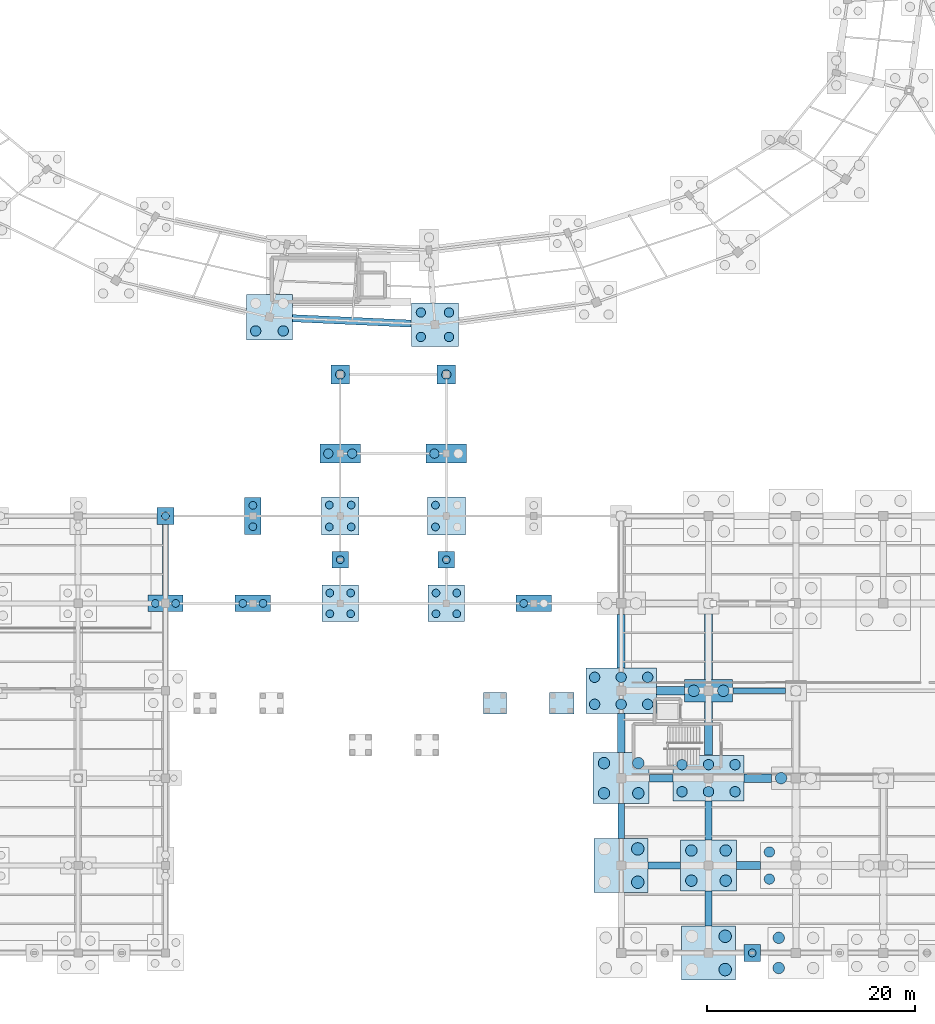
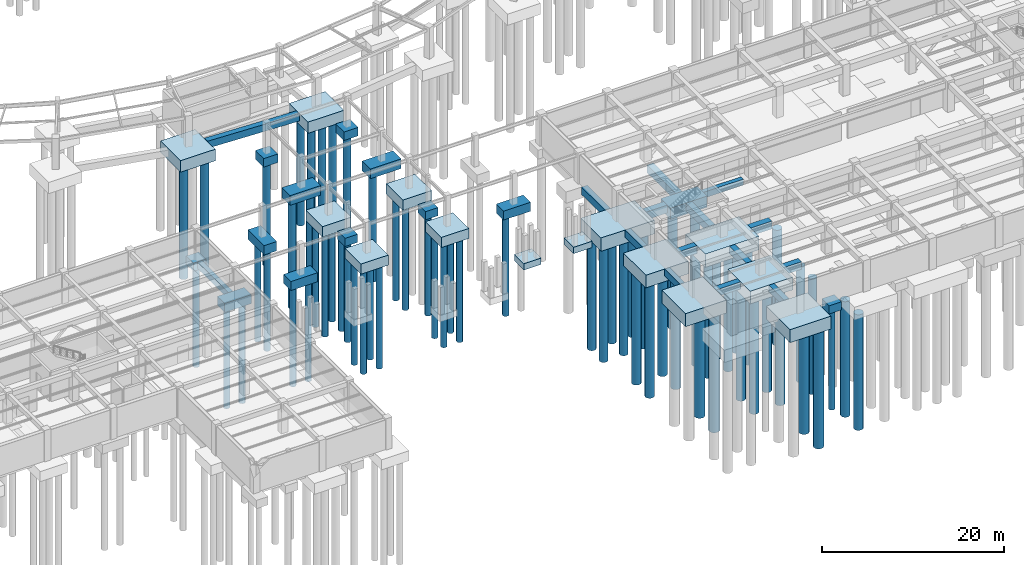
# One storey, part 3 of 38: 67 piles, 42 footings.
"""IFC4 building model written with IfcOpenShell, lengths in metres."""

from ifc_helpers import new_model, si_unit, direction, frame, origin, origin_2d, place, context, subcontext, project, spatial, polyline, rectangle, circle, outline, extrude, material, material_profile, profile_set, type_object, element, save


model = new_model("IFC4")

# Units and contexts
model_context = context("Model", 3, precision=1e-05, world=origin(), true_north=direction((0.0, 1.0)))
body_context = subcontext(model_context, "Body", "Model", "MODEL_VIEW")
ifc_project = project(units=[si_unit("LENGTHUNIT", "METRE"), si_unit("AREAUNIT", "SQUARE_METRE"), si_unit("VOLUMEUNIT", "CUBIC_METRE"), si_unit("PLANEANGLEUNIT", "RADIAN"), si_unit("MASSUNIT", "GRAM", prefix="KILO"), si_unit("THERMODYNAMICTEMPERATUREUNIT", "KELVIN"), si_unit("POWERUNIT", "WATT")], contexts=[model_context])

# Site, building, storey
site_placement = place(None, origin())
site = spatial("IfcSite", under=ifc_project, at=site_placement, CompositionType="ELEMENT")
building_placement = place(site_placement, origin())
building = spatial("IfcBuilding", under=site, at=building_placement, Name="Darbajah Civic Hall", CompositionType="ELEMENT")
storey_placement = place(building_placement, frame((0.0, 0.0, -4.199951171875)))
storey = spatial("IfcBuildingStorey", under=building, at=storey_placement, Name="B01", CompositionType="ELEMENT", Elevation=-4.199951171875)

# Piles
ifc_material = material(Name="Concrete C45/55", Category="concrete")
ifc_material_profile_1 = material_profile(ifc_material, circle(Radius=0.5, at=origin_2d()), Name="BORED PILE D1000")
ifc_profile_set_1 = profile_set([ifc_material_profile_1], Name="Concrete C45/55")
pile_type_1 = type_object("IfcPileType", Name="BORED PILE D1000", PredefinedType="BORED", material=ifc_profile_set_1)
for number, where, z_axis, x_axis, name in (
    (1, (75.869384765625, 59.7900390625, -1.449951171875), (0.0, 0.0, -1.0), (1.0, 0.0, 0.0), "B01 bored pile P-1000 V1O-14-1"),
    (2, (78.519287109375, 59.7900390625, -1.449951171875), (0.0, 0.0, -1.0), (1.0, 0.0, 0.0), "B01 bored pile P-1000 V1O-14-2"),
):
    element("IfcPile", number, at=place(storey_placement, frame(where, z_axis=z_axis, x_axis=x_axis)), inside=storey, type_object=pile_type_1, Name=name, PredefinedType="BORED", context=body_context, shape_type="SweptSolid", body=[
        extrude(circle(Radius=0.5, at=origin_2d()), origin(), (0.0, 0.0, 1.0), 15.0),
    ])
for number, where, z_axis, x_axis, name in (
    (3, (108.449951171875, 23.89990234375, -1.699951171875), (0.0, 0.0, -1.0), (1.0, 0.0, 0.0), "B01 bored pile P-1000 V3-00-03-1"),
    (4, (111.0, 23.89990234375, -1.699951171875), (0.0, 0.0, -1.0), (1.0, 0.0, 0.0), "B01 bored pile P-1000 V3-00-03-2"),
    (5, (113.550048828125, 23.89990234375, -1.699951171875), (0.0, 0.0, -1.0), (1.0, 0.0, 0.0), "B01 bored pile P-1000 V3-00-03-3"),
    (6, (108.449951171875, 26.5, -1.699951171875), (0.0, 0.0, -1.0), (1.0, 0.0, 0.0), "B01 bored pile P-1000 V3-00-03-4"),
    (7, (111.0, 26.5, -1.699951171875), (0.0, 0.0, -1.0), (1.0, 0.0, 0.0), "B01 bored pile P-1000 V3-00-03-5"),
    (8, (113.550048828125, 26.5, -1.699951171875), (0.0, 0.0, -1.0), (1.0, 0.0, 0.0), "B01 bored pile P-1000 V3-00-03-6"),
    (9, (116.85009765625, 15.5, -1.699951171875), (0.0, 0.0, -1.0), (1.0, 0.0, 0.0), "B01 bored pile P-1000 V3-01-02-1"),
    (10, (119.39990234375, 15.5, -1.699951171875), (0.0, 0.0, -1.0), (1.0, 0.0, 0.0), "B01 bored pile P-1000 V3-01-02-2"),
    (11, (121.949951171875, 15.5, -1.699951171875), (0.0, 0.0, -1.0), (1.0, 0.0, 0.0), "B01 bored pile P-1000 V3-01-02-3"),
    (12, (116.85009765625, 18.10009765625, -1.699951171875), (0.0, 0.0, -1.0), (1.0, 0.0, 0.0), "B01 bored pile P-1000 V3-01-02-4"),
    (13, (119.39990234375, 18.10009765625, -1.699951171875), (0.0, 0.0, -1.0), (1.0, 0.0, 0.0), "B01 bored pile P-1000 V3-01-02-5"),
    (14, (121.949951171875, 18.10009765625, -1.699951171875), (0.0, 0.0, -1.0), (1.0, 0.0, 0.0), "B01 bored pile P-1000 V3-01-02-6"),
    (15, (125.25, 7.10009765625, -1.699951171875), (0.0, 0.0, -1.0), (1.0, 0.0, 0.0), "B01 bored pile P-1000 V3-02-01-1"),
    (16, (125.25, 9.699951171875, -1.699951171875), (0.0, 0.0, -1.0), (1.0, 0.0, 0.0), "B01 bored pile P-1000 V3-02-01-4"),
):
    element("IfcPile", number, at=place(storey_placement, frame(where, z_axis=z_axis, x_axis=x_axis)), inside=storey, type_object=pile_type_1, Name=name, PredefinedType="BORED", context=body_context, shape_type="SweptSolid", body=[
        extrude(circle(Radius=0.5, at=origin_2d()), origin(), (0.0, 0.0, 1.0), 15.5),
    ])
ifc_material_profile_2 = material_profile(ifc_material, circle(Radius=0.550048828125, at=origin_2d()), Name="BORED PILE D1100")
ifc_profile_set_2 = profile_set([ifc_material_profile_2], Name="Concrete C45/55")
pile_type_2 = type_object("IfcPileType", Name="BORED PILE D1100", PredefinedType="BORED", material=ifc_profile_set_2)
for number, where, z_axis, x_axis, name in (
    (17, (109.35009765625, 15.35009765625, -1.60009765625), (0.0, 0.0, -1.0), (1.0, 0.0, 0.0), "B01 bored pile P-1100 V3-00-02-1"),
    (18, (112.64990234375, 15.35009765625, -1.60009765625), (0.0, 0.0, -1.0), (1.0, 0.0, 0.0), "B01 bored pile P-1100 V3-00-02-2"),
    (19, (109.35009765625, 18.25, -1.60009765625), (0.0, 0.0, -1.0), (1.0, 0.0, 0.0), "B01 bored pile P-1100 V3-00-02-3"),
    (20, (112.64990234375, 18.25, -1.60009765625), (0.0, 0.0, -1.0), (1.0, 0.0, 0.0), "B01 bored pile P-1100 V3-00-02-4"),
    (21, (117.75, 6.949951171875, -1.60009765625), (0.0, 0.0, -1.0), (1.0, 0.0, 0.0), "B01 bored pile P-1100 V3-01-01-1"),
    (22, (121.050048828125, 6.949951171875, -1.60009765625), (0.0, 0.0, -1.0), (1.0, 0.0, 0.0), "B01 bored pile P-1100 V3-01-01-2"),
    (23, (117.75, 9.85009765625, -1.60009765625), (0.0, 0.0, -1.0), (1.0, 0.0, 0.0), "B01 bored pile P-1100 V3-01-01-3"),
    (24, (121.050048828125, 9.85009765625, -1.60009765625), (0.0, 0.0, -1.0), (1.0, 0.0, 0.0), "B01 bored pile P-1100 V3-01-01-4"),
    (25, (117.97509765625, 25.199951171875, -1.400146484375), (0.0, 0.0, -1.0), (1.0, 0.0, 0.0), "B01 bored pile P-1100 V3-01-03-1"),
    (26, (120.824951171875, 25.199951171875, -1.400146484375), (0.0, 0.0, -1.0), (1.0, 0.0, 0.0), "B01 bored pile P-1100 V3-01-03-2"),
    (27, (126.14990234375, -1.449951171875, -1.60009765625), (0.0, 0.0, -1.0), (1.0, 0.0, 0.0), "B01 bored pile P-1100 V3-02-00-1"),
    (28, (126.14990234375, 1.449951171875, -1.60009765625), (0.0, 0.0, -1.0), (1.0, 0.0, 0.0), "B01 bored pile P-1100 V3-02-00-3"),
    (29, (126.375, 16.800048828125, -1.400146484375), (0.0, 0.0, -1.0), (1.0, 0.0, 0.0), "B01 bored pile P-1100 V3-02-02-1"),
):
    element("IfcPile", number, at=place(storey_placement, frame(where, z_axis=z_axis, x_axis=x_axis)), inside=storey, type_object=pile_type_2, Name=name, PredefinedType="BORED", context=body_context, shape_type="SweptSolid", body=[
        extrude(circle(Radius=0.550048828125, at=origin_2d()), origin(), (0.0, 0.0, 1.0), 15.5),
    ])
ifc_material_profile_3 = material_profile(ifc_material, circle(Radius=0.60009765625, at=origin_2d()), Name="BORED PILE D1200")
ifc_profile_set_3 = profile_set([ifc_material_profile_3], Name="Concrete C45/55")
pile_type_3 = type_object("IfcPileType", Name="BORED PILE D1200", PredefinedType="BORED", material=ifc_profile_set_3)
for number, where, z_axis, x_axis, name in (
    (30, (112.60009765625, 6.800048828125, -1.650146484375), (0.0, 0.0, -1.0), (1.0, 0.0, 0.0), "B01 bored pile P-1200 V3-00-01-2"),
    (31, (112.60009765625, 10.0, -1.650146484375), (0.0, 0.0, -1.0), (1.0, 0.0, 0.0), "B01 bored pile P-1200 V3-00-01-4"),
    (32, (121.0, -1.60009765625, -1.650146484375), (0.0, 0.0, -1.0), (1.0, 0.0, 0.0), "B01 bored pile P-1200 V3-01-00-2"),
    (33, (121.0, 1.60009765625, -1.650146484375), (0.0, 0.0, -1.0), (1.0, 0.0, 0.0), "B01 bored pile P-1200 V3-01-00-4"),
):
    element("IfcPile", number, at=place(storey_placement, frame(where, z_axis=z_axis, x_axis=x_axis)), inside=storey, type_object=pile_type_3, Name=name, PredefinedType="BORED", context=body_context, shape_type="SweptSolid", body=[
        extrude(circle(Radius=0.60009765625, at=origin_2d()), origin(), (0.0, 0.0, 1.0), 16.0),
    ])
ifc_material_profile_4 = material_profile(ifc_material, circle(Radius=0.375, at=origin_2d()), Name="BORED PILE D750")
ifc_profile_set_4 = profile_set([ifc_material_profile_4], Name="Concrete C45/55")
pile_type_4 = type_object("IfcPileType", Name="BORED PILE D750", PredefinedType="BORED", material=ifc_profile_set_4)
for number, where, z_axis, x_axis, name in (
    (34, (66.22509765625, 33.60009765625, -1.10009765625), (0.0, 0.0, -1.0), (1.0, 0.0, 0.0), "B01 bored pile P-750 V5-08-04-1"),
    (35, (68.175048828125, 33.60009765625, -1.10009765625), (0.0, 0.0, -1.0), (1.0, 0.0, 0.0), "B01 bored pile P-750 V5-08-04-2"),
    (36, (67.199951171875, 42.0, -1.0), (0.0, 0.0, -1.0), (1.0, 0.0, 0.0), "B01 bored pile P-750 V5-08-05-1"),
    (37, (74.625, 33.60009765625, -1.10009765625), (0.0, 0.0, -1.0), (1.0, 0.0, 0.0), "B01 bored pile P-750 V6S-01-1"),
    (38, (76.574951171875, 33.60009765625, -1.10009765625), (0.0, 0.0, -1.0), (1.0, 0.0, 0.0), "B01 bored pile P-750 V6S-01-2"),
    (39, (75.60009765625, 40.97509765625, -1.150146484375), (0.0, 0.0, -1.0), (1.0, 0.0, 0.0), "B01 bored pile P-750 V6S-02-1"),
    (40, (75.60009765625, 43.02490234375, -1.150146484375), (0.0, 0.0, -1.0), (1.0, 0.0, 0.0), "B01 bored pile P-750 V6S-02-2"),
):
    element("IfcPile", number, at=place(storey_placement, frame(where, z_axis=z_axis, x_axis=x_axis)), inside=storey, type_object=pile_type_4, Name=name, PredefinedType="BORED", context=body_context, shape_type="SweptSolid", body=[
        extrude(circle(Radius=0.375, at=origin_2d()), origin(), (0.0, 0.0, 1.0), 13.5),
    ])
for number, where, z_axis, x_axis, name in (
    (41, (83.0, 32.60009765625, -1.25), (0.0, 0.0, -1.0), (1.0, 0.0, 0.0), "B01 bored pile P-750 V6S-03-1"),
    (42, (85.0, 32.60009765625, -1.25), (0.0, 0.0, -1.0), (1.0, 0.0, 0.0), "B01 bored pile P-750 V6S-03-2"),
    (43, (83.0, 34.60009765625, -1.25), (0.0, 0.0, -1.0), (1.0, 0.0, 0.0), "B01 bored pile P-750 V6S-03-3"),
    (44, (85.0, 34.60009765625, -1.25), (0.0, 0.0, -1.0), (1.0, 0.0, 0.0), "B01 bored pile P-750 V6S-03-4"),
    (45, (82.949951171875, 40.949951171875, -1.300048828125), (0.0, 0.0, -1.0), (1.0, 0.0, 0.0), "B01 bored pile P-750 V6S-04-1"),
    (46, (85.050048828125, 40.949951171875, -1.300048828125), (0.0, 0.0, -1.0), (1.0, 0.0, 0.0), "B01 bored pile P-750 V6S-04-2"),
    (47, (82.949951171875, 43.050048828125, -1.300048828125), (0.0, 0.0, -1.0), (1.0, 0.0, 0.0), "B01 bored pile P-750 V6S-04-3"),
    (48, (85.050048828125, 43.050048828125, -1.300048828125), (0.0, 0.0, -1.0), (1.0, 0.0, 0.0), "B01 bored pile P-750 V6S-04-4"),
    (49, (93.199951171875, 32.60009765625, -1.25), (0.0, 0.0, -1.0), (1.0, 0.0, 0.0), "B01 bored pile P-750 V6S-07-1"),
    (50, (95.199951171875, 32.60009765625, -1.25), (0.0, 0.0, -1.0), (1.0, 0.0, 0.0), "B01 bored pile P-750 V6S-07-2"),
    (51, (93.199951171875, 34.60009765625, -1.25), (0.0, 0.0, -1.0), (1.0, 0.0, 0.0), "B01 bored pile P-750 V6S-07-3"),
    (52, (95.199951171875, 34.60009765625, -1.25), (0.0, 0.0, -1.0), (1.0, 0.0, 0.0), "B01 bored pile P-750 V6S-07-4"),
    (53, (93.14990234375, 40.949951171875, -1.300048828125), (0.0, 0.0, -1.0), (1.0, 0.0, 0.0), "B01 bored pile P-750 V6S-08-1"),
    (54, (93.14990234375, 43.050048828125, -1.300048828125), (0.0, 0.0, -1.0), (1.0, 0.0, 0.0), "B01 bored pile P-750 V6S-08-3"),
):
    element("IfcPile", number, at=place(storey_placement, frame(where, z_axis=z_axis, x_axis=x_axis)), inside=storey, type_object=pile_type_4, Name=name, PredefinedType="BORED", context=body_context, shape_type="SweptSolid", body=[
        extrude(circle(Radius=0.375, at=origin_2d()), origin(), (0.0, 0.0, 1.0), 14.0),
    ])
for number, where, z_axis, x_axis, name in (
    (55, (101.625, 33.60009765625, -1.10009765625), (0.0, 0.0, -1.0), (1.0, 0.0, 0.0), "B01 bored pile P-750 V6S-11-1"),
    (56, (123.60009765625, 0.0, -1.0), (0.0, 0.0, -1.0), (1.0, 0.0, 0.0), "B01 bored pile PIL-V3S-2"),
    (57, (84.0, 37.800048828125, -1.0), (0.0, 0.0, -1.0), (1.0, 0.0, 0.0), "B01 bored pile PIL-V6P-1"),
    (58, (94.199951171875, 37.800048828125, -1.0), (0.0, 0.0, -1.0), (1.0, 0.0, 0.0), "B01 bored pile PIL-V6P-2"),
):
    element("IfcPile", number, at=place(storey_placement, frame(where, z_axis=z_axis, x_axis=x_axis)), inside=storey, type_object=pile_type_4, Name=name, PredefinedType="BORED", context=body_context, shape_type="SweptSolid", body=[
        extrude(circle(Radius=0.375, at=origin_2d()), origin(), (0.0, 0.0, 1.0), 13.5),
    ])
ifc_material_profile_5 = material_profile(ifc_material, circle(Radius=0.449951171875, at=origin_2d()), Name="BORED PILE D900")
ifc_profile_set_5 = profile_set([ifc_material_profile_5], Name="Concrete C45/55")
pile_type_5 = type_object("IfcPileType", Name="BORED PILE D900", PredefinedType="BORED", material=ifc_profile_set_5)
for number, where, z_axis, x_axis, name in (
    (59, (91.75146484375, 59.2158203125, -1.420166015625), (0.0, 0.0, -1.0), (1.0, 0.0, 0.0), "B01 bored pile P-900 V1O-15-1"),
    (60, (94.451416015625, 59.2158203125, -1.420166015625), (0.0, 0.0, -1.0), (1.0, 0.0, 0.0), "B01 bored pile P-900 V1O-15-2"),
    (61, (91.75146484375, 61.56591796875, -1.420166015625), (0.0, 0.0, -1.0), (1.0, 0.0, 0.0), "B01 bored pile P-900 V1O-15-3"),
    (62, (94.451416015625, 61.56591796875, -1.420166015625), (0.0, 0.0, -1.0), (1.0, 0.0, 0.0), "B01 bored pile P-900 V1O-15-4"),
    (63, (82.85009765625, 48.0, -1.199951171875), (0.0, 0.0, -1.0), (1.0, 0.0, 0.0), "B01 bored pile P-900 V6S-05-1"),
    (64, (85.14990234375, 48.0, -1.199951171875), (0.0, 0.0, -1.0), (1.0, 0.0, 0.0), "B01 bored pile P-900 V6S-05-2"),
):
    element("IfcPile", number, at=place(storey_placement, frame(where, z_axis=z_axis, x_axis=x_axis)), inside=storey, type_object=pile_type_5, Name=name, PredefinedType="BORED", context=body_context, shape_type="SweptSolid", body=[
        extrude(circle(Radius=0.449951171875, at=origin_2d()), origin(), (0.0, 0.0, 1.0), 14.5),
    ])
pile_1_placement = place(storey_placement, frame((84.0, 55.60009765625, -1.050048828125), z_axis=(0.0, 0.0, -1.0), x_axis=(1.0, 0.0, 0.0)))
element("IfcPile", 65, at=pile_1_placement, inside=storey, type_object=pile_type_5, Name="B01 bored pile P-900 V6S-06-1", PredefinedType="BORED", context=body_context, shape_type="SweptSolid", body=[
    extrude(circle(Radius=0.449951171875, at=origin_2d()), origin(), (0.0, 0.0, 1.0), 14.0),
])
pile_2_placement = place(storey_placement, frame((93.050048828125, 48.0, -1.199951171875), z_axis=(0.0, 0.0, -1.0), x_axis=(1.0, 0.0, 0.0)))
element("IfcPile", 66, at=pile_2_placement, inside=storey, type_object=pile_type_5, Name="B01 bored pile P-900 V6S-09-1", PredefinedType="BORED", context=body_context, shape_type="SweptSolid", body=[
    extrude(circle(Radius=0.449951171875, at=origin_2d()), origin(), (0.0, 0.0, 1.0), 14.5),
])
pile_3_placement = place(storey_placement, frame((94.199951171875, 55.60009765625, -1.050048828125), z_axis=(0.0, 0.0, -1.0), x_axis=(1.0, 0.0, 0.0)))
element("IfcPile", 67, at=pile_3_placement, inside=storey, type_object=pile_type_5, Name="B01 bored pile P-900 V6S-10-1", PredefinedType="BORED", context=body_context, shape_type="SweptSolid", body=[
    extrude(circle(Radius=0.449951171875, at=origin_2d()), origin(), (0.0, 0.0, 1.0), 14.0),
])

# Footings
footing_type_1 = type_object("IfcFootingType", Name="Ground Strip Footing 550x800", PredefinedType="STRIP_FOOTING", material=ifc_material)
footing_1_placement = place(storey_placement, frame((0.0, 0.0, -0.800048828125)))
element("IfcFooting", 68, at=footing_1_placement, inside=storey, type_object=footing_type_1, Name="B01 ground strip footing SF-06", PredefinedType="STRIP_FOOTING", context=body_context, shape_type="SweptSolid", body=[
    extrude(outline(polyline([(121.72998046875, 24.925048828125), (126.794921875, 24.925048828125), (126.794921875, 25.47509765625), (121.72998046875, 25.47509765625), (121.72998046875, 24.925048828125)])), origin(), (0.0, 0.0, 1.0), 0.800048828125),
])
footing_2_placement = place(storey_placement, frame((0.0, 0.0, -0.85009765625)))
element("IfcFooting", 69, at=footing_2_placement, inside=storey, type_object=footing_type_1, Name="B01 ramp RMP-S2 BOT foundation", PredefinedType="STRIP_FOOTING", context=body_context, shape_type="SweptSolid", body=[
    extrude(outline(polyline([(97.780029296875, 22.949951171875), (99.97998046875, 22.949951171875), (99.97998046875, 25.050048828125), (97.780029296875, 25.050048828125), (97.780029296875, 22.949951171875)])), origin(), (0.0, 0.0, 1.0), 0.85009765625),
])
footing_3_placement = place(storey_placement, frame((0.0, 0.0, -0.85009765625)))
element("IfcFooting", 70, at=footing_3_placement, inside=storey, type_object=footing_type_1, Name="B01 ramp RMP-S2 TOP foundation", PredefinedType="STRIP_FOOTING", context=body_context, shape_type="SweptSolid", body=[
    extrude(outline(polyline([(104.10009765625, 22.949951171875), (106.449951171875, 22.949951171875), (106.449951171875, 25.050048828125), (104.10009765625, 25.050048828125), (104.10009765625, 22.949951171875)])), origin(), (0.0, 0.0, 1.0), 0.85009765625),
])
footing_type_2 = type_object("IfcFootingType", Name="Ground Strip Footing 600x850", PredefinedType="STRIP_FOOTING", material=ifc_material)
footing_4_placement = place(storey_placement, frame((0.0, 0.0, -0.85009765625)))
element("IfcFooting", 71, at=footing_4_placement, inside=storey, type_object=footing_type_2, Name="B01 ground strip footing SF-01", PredefinedType="STRIP_FOOTING", context=body_context, shape_type="SweptSolid", body=[
    extrude(outline(polyline([(67.5, 34.405029296875), (67.5, 41.195068359375), (66.89990234375, 41.195068359375), (66.89990234375, 34.405029296875), (67.5, 34.405029296875)])), origin(), (0.0, 0.0, 1.0), 0.85009765625),
])
footing_type_3 = type_object("IfcFootingType", Name="Ground Strip Footing 650x900", PredefinedType="STRIP_FOOTING", material=ifc_material)
footing_5_placement = place(storey_placement, frame((0.0, 0.0, -0.900146484375)))
element("IfcFooting", 72, at=footing_5_placement, inside=storey, type_object=footing_type_3, Name="B01 ground strip footing SF-02", PredefinedType="STRIP_FOOTING", context=body_context, shape_type="SweptSolid", body=[
    extrude(outline(polyline([(111.324951171875, 11.0048828125), (111.324951171875, 14.344970703125), (110.675048828125, 14.344970703125), (110.675048828125, 11.0048828125), (111.324951171875, 11.0048828125)])), origin(), (0.0, 0.0, 1.0), 0.900146484375),
])
footing_6_placement = place(storey_placement, frame((0.0, 0.0, -0.900146484375)))
element("IfcFooting", 73, at=footing_6_placement, inside=storey, type_object=footing_type_3, Name="B01 ground strip footing SF-02", PredefinedType="STRIP_FOOTING", context=body_context, shape_type="SweptSolid", body=[
    extrude(outline(polyline([(119.72509765625, 2.60498046875), (119.72509765625, 5.945068359375), (119.074951171875, 5.945068359375), (119.074951171875, 2.60498046875), (119.72509765625, 2.60498046875)])), origin(), (0.0, 0.0, 1.0), 0.900146484375),
])
footing_type_4 = type_object("IfcFootingType", Name="Ground Strip Footing 700x950", PredefinedType="STRIP_FOOTING", material=ifc_material)
footing_7_placement = place(storey_placement, frame((0.0, 0.0, -0.949951171875)))
element("IfcFooting", 74, at=footing_7_placement, inside=storey, type_object=footing_type_4, Name="B01 ground strip footing SF-03", PredefinedType="STRIP_FOOTING", context=body_context, shape_type="SweptSolid", body=[
    extrude(outline(polyline([(79.3994140625, 60.664306640625), (90.78955078125, 60.145751953125), (90.8212890625, 60.84521484375), (79.43115234375, 61.363525390625), (79.3994140625, 60.664306640625)])), origin(), (0.0, 0.0, 1.0), 0.949951171875),
])
footing_8_placement = place(storey_placement, frame((0.0, 0.0, -0.949951171875)))
element("IfcFooting", 75, at=footing_8_placement, inside=storey, type_object=footing_type_4, Name="B01 ground strip footing SF-03", PredefinedType="STRIP_FOOTING", context=body_context, shape_type="SweptSolid", body=[
    extrude(outline(polyline([(111.35009765625, 19.2548828125), (111.35009765625, 22.9951171875), (110.64990234375, 22.9951171875), (110.64990234375, 19.2548828125), (111.35009765625, 19.2548828125)])), origin(), (0.0, 0.0, 1.0), 0.949951171875),
])
footing_9_placement = place(storey_placement, frame((0.0, 0.0, -0.949951171875)))
element("IfcFooting", 76, at=footing_9_placement, inside=storey, type_object=footing_type_4, Name="B01 ground strip footing SF-03", PredefinedType="STRIP_FOOTING", context=body_context, shape_type="SweptSolid", body=[
    extrude(outline(polyline([(119.75, 10.85498046875), (119.75, 14.594970703125), (119.050048828125, 14.594970703125), (119.050048828125, 10.85498046875), (119.75, 10.85498046875)])), origin(), (0.0, 0.0, 1.0), 0.949951171875),
])
footing_10_placement = place(storey_placement, frame((0.0, 0.0, -0.949951171875)))
element("IfcFooting", 77, at=footing_10_placement, inside=storey, type_object=footing_type_4, Name="B01 ground strip footing SF-03", PredefinedType="STRIP_FOOTING", context=body_context, shape_type="SweptSolid", body=[
    extrude(outline(polyline([(113.60498046875, 8.050048828125), (116.695068359375, 8.050048828125), (116.695068359375, 8.75), (113.60498046875, 8.75), (113.60498046875, 8.050048828125)])), origin(), (0.0, 0.0, 1.0), 0.949951171875),
])
footing_type_5 = type_object("IfcFootingType", Name="Ground Strip Footing 750x1000", PredefinedType="STRIP_FOOTING", material=ifc_material)
footing_11_placement = place(storey_placement, frame((0.0, 0.0, -1.0)))
element("IfcFooting", 78, at=footing_11_placement, inside=storey, type_object=footing_type_5, Name="B01 ground strip footing SF-04", PredefinedType="STRIP_FOOTING", context=body_context, shape_type="SweptSolid", body=[
    extrude(outline(polyline([(111.375, 27.405029296875), (111.375, 32.52001953125), (110.625, 32.52001953125), (110.625, 27.405029296875), (111.375, 27.405029296875)])), origin(), (0.0, 0.0, 1.0), 1.0),
])
footing_12_placement = place(storey_placement, frame((0.0, 0.0, -1.0)))
element("IfcFooting", 79, at=footing_12_placement, inside=storey, type_object=footing_type_5, Name="B01 ground strip footing SF-04", PredefinedType="STRIP_FOOTING", context=body_context, shape_type="SweptSolid", body=[
    extrude(outline(polyline([(119.77490234375, 19.0048828125), (119.77490234375, 24.1201171875), (119.02490234375, 24.1201171875), (119.02490234375, 19.0048828125), (119.77490234375, 19.0048828125)])), origin(), (0.0, 0.0, 1.0), 1.0),
])
footing_13_placement = place(storey_placement, frame((0.0, 0.0, -1.0)))
element("IfcFooting", 80, at=footing_13_placement, inside=storey, type_object=footing_type_5, Name="B01 ground strip footing SF-04", PredefinedType="STRIP_FOOTING", context=body_context, shape_type="SweptSolid", body=[
    extrude(outline(polyline([(113.705078125, 16.425048828125), (115.9951171875, 16.425048828125), (115.9951171875, 17.175048828125), (113.705078125, 17.175048828125), (113.705078125, 16.425048828125)])), origin(), (0.0, 0.0, 1.0), 1.0),
])
footing_14_placement = place(storey_placement, frame((0.0, 0.0, -1.0)))
element("IfcFooting", 81, at=footing_14_placement, inside=storey, type_object=footing_type_5, Name="B01 ground strip footing SF-04", PredefinedType="STRIP_FOOTING", context=body_context, shape_type="SweptSolid", body=[
    extrude(outline(polyline([(122.10498046875, 8.02490234375), (124.39501953125, 8.02490234375), (124.39501953125, 8.77490234375), (122.10498046875, 8.77490234375), (122.10498046875, 8.02490234375)])), origin(), (0.0, 0.0, 1.0), 1.0),
])
footing_type_6 = type_object("IfcFootingType", Name="Ground Strip Footing 800x1050", PredefinedType="STRIP_FOOTING", material=ifc_material)
footing_15_placement = place(storey_placement, frame((0.0, 0.0, -1.050048828125)))
element("IfcFooting", 82, at=footing_15_placement, inside=storey, type_object=footing_type_6, Name="B01 ground strip footing SF-05", PredefinedType="STRIP_FOOTING", context=body_context, shape_type="SweptSolid", body=[
    extrude(outline(polyline([(119.800048828125, 26.280029296875), (119.800048828125, 32.594970703125), (119.0, 32.594970703125), (119.0, 26.280029296875), (119.800048828125, 26.280029296875)])), origin(), (0.0, 0.0, 1.0), 1.050048828125),
])
footing_16_placement = place(storey_placement, frame((0.0, 0.0, -1.050048828125)))
element("IfcFooting", 83, at=footing_16_placement, inside=storey, type_object=footing_type_6, Name="B01 ground strip footing SF-05", PredefinedType="STRIP_FOOTING", context=body_context, shape_type="SweptSolid", body=[
    extrude(outline(polyline([(114.405029296875, 24.800048828125), (117.070068359375, 24.800048828125), (117.070068359375, 25.60009765625), (114.405029296875, 25.60009765625), (114.405029296875, 24.800048828125)])), origin(), (0.0, 0.0, 1.0), 1.050048828125),
])
footing_17_placement = place(storey_placement, frame((0.0, 0.0, -1.050048828125)))
element("IfcFooting", 84, at=footing_17_placement, inside=storey, type_object=footing_type_6, Name="B01 ground strip footing SF-05", PredefinedType="STRIP_FOOTING", context=body_context, shape_type="SweptSolid", body=[
    extrude(outline(polyline([(122.804931640625, 16.39990234375), (125.469970703125, 16.39990234375), (125.469970703125, 17.199951171875), (122.804931640625, 17.199951171875), (122.804931640625, 16.39990234375)])), origin(), (0.0, 0.0, 1.0), 1.050048828125),
])
footing_type_7 = type_object("IfcFootingType", Name="Pile Cap 1600x1600x1100", PredefinedType="PILE_CAP", material=ifc_material)
for number, where, z_axis, x_axis, name in (
    (85, (67.199951171875, 42.0, -1.10009765625), (0.0, 0.0, 1.0), (1.0, 0.0, 0.0), "B01 pile cap PC-1A at V5-08-05"),
    (86, (123.60009765625, 0.0, -1.10009765625), (0.0, 0.0, 1.0), (1.0, 0.0, 0.0), "B01 pilaster cap PIL-V3S-2"),
    (87, (84.0, 37.800048828125, -1.10009765625), (0.0, 0.0, 1.0), (1.0, 0.0, 0.0), "B01 pilaster cap PIL-V6P-1"),
    (88, (94.199951171875, 37.800048828125, -1.10009765625), (0.0, 0.0, 1.0), (1.0, 0.0, 0.0), "B01 pilaster cap PIL-V6P-2"),
):
    element("IfcFooting", number, at=place(storey_placement, frame(where, z_axis=z_axis, x_axis=x_axis)), inside=storey, type_object=footing_type_7, Name=name, PredefinedType="PILE_CAP", context=body_context, shape_type="SweptSolid", body=[
        extrude(rectangle(XDim=1.60009765625, YDim=1.60009765625, at=origin_2d()), origin(), (0.0, 0.0, 1.0), 1.10009765625),
    ])
footing_type_8 = type_object("IfcFootingType", Name="Pile Cap 1600x3550x1250", PredefinedType="PILE_CAP", material=ifc_material)
footing_18_placement = place(storey_placement, frame((75.60009765625, 42.0, -1.25), z_axis=(0.0, 0.0, 1.0), x_axis=(1.0, 0.0, 0.0)))
element("IfcFooting", 89, at=footing_18_placement, inside=storey, type_object=footing_type_8, Name="B01 pile cap PC-2B at V6S-02", PredefinedType="PILE_CAP", context=body_context, shape_type="SweptSolid", body=[
    extrude(rectangle(XDim=1.60009765625, YDim=3.550048828125, at=origin_2d()), origin(), (0.0, 0.0, 1.0), 1.25),
])
footing_type_9 = type_object("IfcFootingType", Name="Pile Cap 1800x1800x1150", PredefinedType="PILE_CAP", material=ifc_material)
for number, where, z_axis, x_axis, name in (
    (90, (84.0, 55.60009765625, -1.14990234375), (0.0, 0.0, 1.0), (1.0, 0.0, 0.0), "B01 pile cap PC-1B at V6S-06"),
    (91, (94.199951171875, 55.60009765625, -1.14990234375), (0.0, 0.0, 1.0), (1.0, 0.0, 0.0), "B01 pile cap PC-1B at V6S-10"),
):
    element("IfcFooting", number, at=place(storey_placement, frame(where, z_axis=z_axis, x_axis=x_axis)), inside=storey, type_object=footing_type_9, Name=name, PredefinedType="PILE_CAP", context=body_context, shape_type="SweptSolid", body=[
        extrude(rectangle(XDim=1.800048828125, YDim=1.800048828125, at=origin_2d()), origin(), (0.0, 0.0, 1.0), 1.14990234375),
    ])
footing_type_10 = type_object("IfcFootingType", Name="Pile Cap 3400x1600x1200", PredefinedType="PILE_CAP", material=ifc_material)
for number, where, z_axis, x_axis, name in (
    (92, (67.199951171875, 33.60009765625, -1.2001953125), (0.0, 0.0, 1.0), (1.0, 0.0, 0.0), "B01 pile cap PC-2A at V5-08-04"),
    (93, (75.60009765625, 33.60009765625, -1.2001953125), (0.0, 0.0, 1.0), (1.0, 0.0, 0.0), "B01 pile cap PC-2A at V6S-01"),
    (94, (102.60009765625, 33.60009765625, -1.2001953125), (0.0, 0.0, 1.0), (1.0, 0.0, 0.0), "B01 pile cap PC-2A at V6S-11"),
):
    element("IfcFooting", number, at=place(storey_placement, frame(where, z_axis=z_axis, x_axis=x_axis)), inside=storey, type_object=footing_type_10, Name=name, PredefinedType="PILE_CAP", context=body_context, shape_type="SweptSolid", body=[
        extrude(rectangle(XDim=3.39990234375, YDim=1.60009765625, at=origin_2d()), origin(), (0.0, 0.0, 1.0), 1.199951171875),
    ])
footing_type_11 = type_object("IfcFootingType", Name="Pile Cap 3500x3500x1350", PredefinedType="PILE_CAP", material=ifc_material)
for number, where, z_axis, x_axis, name in (
    (95, (84.0, 33.60009765625, -1.35009765625), (0.0, 0.0, 1.0), (1.0, 0.0, 0.0), "B01 pile cap PC-4A at V6S-03"),
    (96, (94.199951171875, 33.60009765625, -1.35009765625), (0.0, 0.0, 1.0), (1.0, 0.0, 0.0), "B01 pile cap PC-4A at V6S-07"),
):
    element("IfcFooting", number, at=place(storey_placement, frame(where, z_axis=z_axis, x_axis=x_axis)), inside=storey, type_object=footing_type_11, Name=name, PredefinedType="PILE_CAP", context=body_context, shape_type="SweptSolid", body=[
        extrude(rectangle(XDim=3.5, YDim=3.5, at=origin_2d()), origin(), (0.0, 0.0, 1.0), 1.35009765625),
    ])
footing_type_12 = type_object("IfcFootingType", Name="Pile Cap 3650x3650x1400", PredefinedType="PILE_CAP", material=ifc_material)
for number, where, z_axis, x_axis, name in (
    (97, (84.0, 42.0, -1.39990234375), (0.0, 0.0, 1.0), (1.0, 0.0, 0.0), "B01 pile cap PC-4B at V6S-04"),
    (98, (94.199951171875, 42.0, -1.39990234375), (0.0, 0.0, 1.0), (1.0, 0.0, 0.0), "B01 pile cap PC-4B at V6S-08"),
):
    element("IfcFooting", number, at=place(storey_placement, frame(where, z_axis=z_axis, x_axis=x_axis)), inside=storey, type_object=footing_type_12, Name=name, PredefinedType="PILE_CAP", context=body_context, shape_type="SweptSolid", body=[
        extrude(rectangle(XDim=3.64990234375, YDim=3.64990234375, at=origin_2d()), origin(), (0.0, 0.0, 1.0), 1.39990234375),
    ])
footing_type_13 = type_object("IfcFootingType", Name="Pile Cap 3900x1800x1300", PredefinedType="PILE_CAP", material=ifc_material)
for number, where, z_axis, x_axis, name in (
    (99, (84.0, 48.0, -1.30029296875), (0.0, 0.0, 1.0), (1.0, 0.0, 0.0), "B01 pile cap PC-2C at V6S-05"),
    (100, (94.199951171875, 48.0, -1.30029296875), (0.0, 0.0, 1.0), (1.0, 0.0, 0.0), "B01 pile cap PC-2C at V6S-09"),
):
    element("IfcFooting", number, at=place(storey_placement, frame(where, z_axis=z_axis, x_axis=x_axis)), inside=storey, type_object=footing_type_13, Name=name, PredefinedType="PILE_CAP", context=body_context, shape_type="SweptSolid", body=[
        extrude(rectangle(XDim=3.89990234375, YDim=1.800048828125, at=origin_2d()), origin(), (0.0, 0.0, 1.0), 1.300048828125),
    ])
footing_type_14 = type_object("IfcFootingType", Name="Pile Cap 4400x4400x1550", PredefinedType="PILE_CAP", material=ifc_material)
footing_19_placement = place(storey_placement, frame((77.1943359375, 61.114990234375, -1.55029296875), z_axis=(0.0, 0.0, 1.0), x_axis=(1.0, 0.0, 0.0)))
element("IfcFooting", 101, at=footing_19_placement, inside=storey, type_object=footing_type_14, Name="B01 pile cap PC-4E at V1O-14", PredefinedType="PILE_CAP", context=body_context, shape_type="SweptSolid", body=[
    extrude(rectangle(XDim=4.39990234375, YDim=4.39990234375, at=origin_2d()), origin(), (0.0, 0.0, 1.0), 1.550048828125),
])
footing_type_15 = type_object("IfcFootingType", Name="Pile Cap 4550x4150x1520", PredefinedType="PILE_CAP", material=ifc_material)
footing_20_placement = place(storey_placement, frame((93.101318359375, 60.390869140625, -1.52001953125), z_axis=(0.0, 0.0, 1.0), x_axis=(1.0, 0.0, 0.0)))
element("IfcFooting", 102, at=footing_20_placement, inside=storey, type_object=footing_type_15, Name="B01 pile cap PC-4K at V1O-15", PredefinedType="PILE_CAP", context=body_context, shape_type="SweptSolid", body=[
    extrude(rectangle(XDim=4.550048828125, YDim=4.14990234375, at=origin_2d()), origin(), (0.0, 0.0, 1.0), 1.52001953125),
])
footing_type_16 = type_object("IfcFootingType", Name="Pile Cap 4650x2150x1500", PredefinedType="PILE_CAP", material=ifc_material)
footing_21_placement = place(storey_placement, frame((119.39990234375, 25.199951171875, -1.5), z_axis=(0.0, 0.0, 1.0), x_axis=(1.0, 0.0, 0.0)))
element("IfcFooting", 103, at=footing_21_placement, inside=storey, type_object=footing_type_16, Name="B01 pile cap PC-2G at V3-01-03", PredefinedType="PILE_CAP", context=body_context, shape_type="SweptSolid", body=[
    extrude(rectangle(XDim=4.64990234375, YDim=2.14990234375, at=origin_2d()), origin(), (0.0, 0.0, 1.0), 1.5),
])
footing_type_17 = type_object("IfcFootingType", Name="Pile Cap 5200x5200x1750", PredefinedType="PILE_CAP", material=ifc_material)
for number, where, z_axis, x_axis, name in (
    (104, (111.0, 8.39990234375, -1.75), (0.0, 0.0, 1.0), (1.0, 0.0, 0.0), "B01 pile cap PC-4H at V3-00-01"),
    (105, (119.39990234375, 0.0, -1.75), (0.0, 0.0, 1.0), (1.0, 0.0, 0.0), "B01 pile cap PC-4H at V3-01-00"),
):
    element("IfcFooting", number, at=place(storey_placement, frame(where, z_axis=z_axis, x_axis=x_axis)), inside=storey, type_object=footing_type_17, Name=name, PredefinedType="PILE_CAP", context=body_context, shape_type="SweptSolid", body=[
        extrude(rectangle(XDim=5.199951171875, YDim=5.199951171875, at=origin_2d()), origin(), (0.0, 0.0, 1.0), 1.75),
    ])
footing_type_18 = type_object("IfcFootingType", Name="Pile Cap 5400x4900x1700", PredefinedType="PILE_CAP", material=ifc_material)
for number, where, z_axis, x_axis, name in (
    (106, (111.0, 16.800048828125, -1.7001953125), (0.0, 0.0, 1.0), (1.0, 0.0, 0.0), "B01 pile cap PC-4J at V3-00-02"),
    (107, (119.39990234375, 8.39990234375, -1.7001953125), (0.0, 0.0, 1.0), (1.0, 0.0, 0.0), "B01 pile cap PC-4J at V3-01-01"),
):
    element("IfcFooting", number, at=place(storey_placement, frame(where, z_axis=z_axis, x_axis=x_axis)), inside=storey, type_object=footing_type_18, Name=name, PredefinedType="PILE_CAP", context=body_context, shape_type="SweptSolid", body=[
        extrude(rectangle(XDim=5.39990234375, YDim=4.89990234375, at=origin_2d()), origin(), (0.0, 0.0, 1.0), 1.699951171875),
    ])
footing_type_19 = type_object("IfcFootingType", Name="Pile Cap 6800x4400x1800", PredefinedType="PILE_CAP", material=ifc_material)
for number, where, z_axis, x_axis, name in (
    (108, (111.0, 25.199951171875, -1.80029296875), (0.0, 0.0, 1.0), (1.0, 0.0, 0.0), "B01 pile cap PC-6A at V3-00-03"),
    (109, (119.39990234375, 16.800048828125, -1.80029296875), (0.0, 0.0, 1.0), (1.0, 0.0, 0.0), "B01 pile cap PC-6A at V3-01-02"),
):
    element("IfcFooting", number, at=place(storey_placement, frame(where, z_axis=z_axis, x_axis=x_axis)), inside=storey, type_object=footing_type_19, Name=name, PredefinedType="PILE_CAP", context=body_context, shape_type="SweptSolid", body=[
        extrude(rectangle(XDim=6.800048828125, YDim=4.39990234375, at=origin_2d()), origin(), (0.0, 0.0, 1.0), 1.800048828125),
    ])

save(model, "model.ifc")
